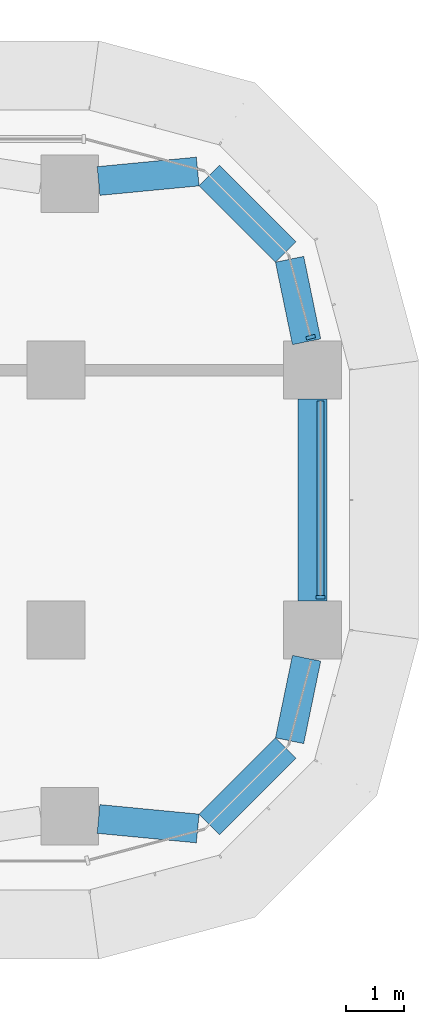
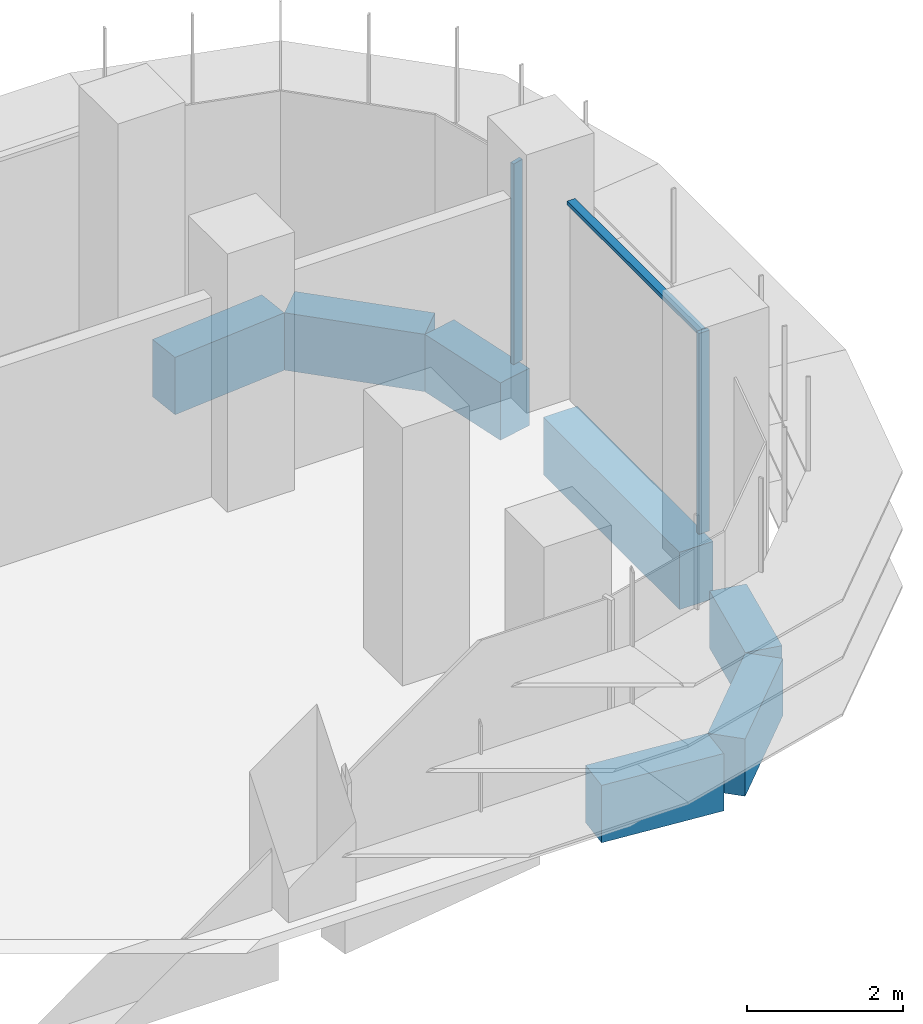
# One storey, part 11 of 23: 7 beams, 3 members, 2 elements without a shape of their own.
"""IFC4 building model written with IfcOpenShell, lengths in metres."""

from ifc_helpers import new_model, si_unit, direction, frame, origin, origin_2d, place, context, subcontext, project, spatial, polyline, rectangle, outline, extrude, source, transform, mapped, material, material_profile, profile_set, type_object, element, aggregate, save


model = new_model("IFC4")

# Units and contexts
model_context = context("Model", 3, precision=1e-05, world=origin(), true_north=direction((0.0, 1.0)))
body_context = subcontext(model_context, "Body", "Model", "MODEL_VIEW")
ifc_project = project(units=[si_unit("LENGTHUNIT", "METRE"), si_unit("AREAUNIT", "SQUARE_METRE"), si_unit("VOLUMEUNIT", "CUBIC_METRE"), si_unit("PLANEANGLEUNIT", "RADIAN"), si_unit("MASSUNIT", "GRAM", prefix="KILO")], contexts=[model_context])

# Site, building, storey
site_placement = place(None, origin())
site = spatial("IfcSite", under=ifc_project, at=site_placement, CompositionType="ELEMENT")
building_placement = place(site_placement, origin())
building = spatial("IfcBuilding", under=site, at=building_placement, Name="Zarbagh Exchange Tower", CompositionType="ELEMENT")
storey_placement = place(building_placement, frame((0.0, 0.0, 52.199951171875)))
storey = spatial("IfcBuildingStorey", under=building, at=storey_placement, Name="L11", CompositionType="ELEMENT", Elevation=52.199951171875)

# Beams
ifc_material_1 = material(Name="Concrete C60/75", Category="concrete")
ifc_material_profile = material_profile(ifc_material_1, rectangle(XDim=0.5, YDim=0.89990234375, at=origin_2d()), Name="RC spandrel beam 500 x 900 C60/75")
ifc_profile_set = profile_set([ifc_material_profile], Name="Concrete C60/75")
beam_type = type_object("IfcBeamType", Name="RC spandrel beam 500 x 900 C60/75", PredefinedType="SPANDREL", material=ifc_profile_set)
beam_1_placement = place(storey_placement, frame((29.40576171875, 5.522705078125, -0.599853515625), z_axis=(0.995431032456, 0.095483294999, 0.0), x_axis=(-0.095483294999, 0.995431032456, 0.0)))
element("IfcBeam", 1, at=beam_1_placement, inside=storey, type_object=beam_type, Name="RC spandrel beam", PredefinedType="SPANDREL", context=body_context, shape_type="SweptSolid", body=[
    extrude(rectangle(XDim=0.5, YDim=0.89990234375, at=origin_2d()), origin(), (0.0, 0.0, 1.0), 1.725830078125),
])
beam_2_placement = place(storey_placement, frame((31.324462890625, 5.615478515625, -0.599853515625), z_axis=(0.707172099812, -0.707041456527, 0.0), x_axis=(0.707041456527, 0.707172099812, 0.0)))
element("IfcBeam", 2, at=beam_2_placement, inside=storey, type_object=beam_type, Name="RC spandrel beam", PredefinedType="SPANDREL", context=body_context, shape_type="SweptSolid", body=[
    extrude(rectangle(XDim=0.5, YDim=0.89990234375, at=origin_2d()), origin(), (0.0, 0.0, 1.0), 1.86865234375),
])
beam_3_placement = place(storey_placement, frame((32.714111328125, 4.16796875, -0.599853515625), z_axis=(0.202068589164, -0.9793713725, 0.0), x_axis=(0.9793713725, 0.202068589164, 0.0)))
element("IfcBeam", 3, at=beam_3_placement, inside=storey, type_object=beam_type, Name="RC spandrel beam", PredefinedType="SPANDREL", context=body_context, shape_type="SweptSolid", body=[
    extrude(rectangle(XDim=0.5, YDim=0.89990234375, at=origin_2d()), origin(), (0.0, 0.0, 1.0), 1.458251953125),
])
beam_4_placement = place(storey_placement, frame((33.110107421875, 1.75, -0.599853515625), z_axis=(0.0, -1.0, 0.0), x_axis=(1.0, 0.0, 0.0)))
element("IfcBeam", 4, at=beam_4_placement, inside=storey, type_object=beam_type, Name="RC spandrel beam", PredefinedType="SPANDREL", context=body_context, shape_type="SweptSolid", body=[
    extrude(rectangle(XDim=0.5, YDim=0.89990234375, at=origin_2d()), origin(), (0.0, 0.0, 1.0), 3.5),
])
beam_5_placement = place(storey_placement, frame((33.0087890625, -2.73974609375, -0.599853515625), z_axis=(-0.202068589164, -0.9793713725, 0.0), x_axis=(0.9793713725, -0.202068589164, 0.0)))
element("IfcBeam", 5, at=beam_5_placement, inside=storey, type_object=beam_type, Name="RC spandrel beam", PredefinedType="SPANDREL", context=body_context, shape_type="SweptSolid", body=[
    extrude(rectangle(XDim=0.5, YDim=0.89990234375, at=origin_2d()), origin(), (0.0, 0.0, 1.0), 1.458251953125),
])
beam_6_placement = place(storey_placement, frame((32.64599609375, -4.294189453125, -0.599853515625), z_axis=(-0.707172099812, -0.707041456527, 0.0), x_axis=(0.707041456527, -0.707172099812, 0.0)))
element("IfcBeam", 6, at=beam_6_placement, inside=storey, type_object=beam_type, Name="RC spandrel beam", PredefinedType="SPANDREL", context=body_context, shape_type="SweptSolid", body=[
    extrude(rectangle(XDim=0.5, YDim=0.89990234375, at=origin_2d()), origin(), (0.0, 0.0, 1.0), 1.86865234375),
])
beam_7_placement = place(storey_placement, frame((31.123779296875, -5.6875, -0.599853515625), z_axis=(-0.995431032456, 0.095483294999, 0.0), x_axis=(-0.095483294999, -0.995431032456, 0.0)))
element("IfcBeam", 7, at=beam_7_placement, inside=storey, type_object=beam_type, Name="RC spandrel beam", PredefinedType="SPANDREL", context=body_context, shape_type="SweptSolid", body=[
    extrude(rectangle(XDim=0.5, YDim=0.89990234375, at=origin_2d()), origin(), (0.0, 0.0, 1.0), 1.725830078125),
])

# Curtain wall, member
ifc_material_2 = material(Name="Anodised aluminium frame and glazing", Category="aluminium")
curtain_wall_type = type_object("IfcCurtainWallType", Name="CWA Ribbon glazing, lower zones", PredefinedType="NOTDEFINED", material=ifc_material_2)
curtain_wall_1_placement = place(storey_placement, origin())
curtain_wall_1 = element("IfcCurtainWall", 8, at=curtain_wall_1_placement, inside=storey, type_object=curtain_wall_type, Name="CWA12 curtain wall", PredefinedType="NOTDEFINED")
ifc_material_3 = material(Name="Anodised aluminium frame", Category="aluminium")
member_type_1 = type_object("IfcMemberType", Name="MUA Mullion, anodised aluminium frame", PredefinedType="MULLION", material=ifc_material_3)
shared_shape_1 = source(origin(), body_context, "Body", "SweptSolid", [
    extrude(outline(polyline([(0.0, -0.080078125), (0.06005859375, -0.080078125), (0.06005859375, 0.080078125), (0.0, 0.080078125), (0.0, -0.080078125)])), origin(), (0.0, 0.0, 1.0), 3.14990234375),
])
placement = place(storey_placement, origin())
member_1 = element("IfcMember", 9, at=placement, type_object=member_type_1, Name="CWA12 mullion 1.1", PredefinedType="MULLION", context=body_context, shape_type="MappedRepresentation", body=[
    mapped(shared_shape_1, transform((33.25, -1.7099609375, 0.0), x_axis=(0.0, 1.0, 0.0), y_axis=(-1.0, 0.0, 0.0), z_axis=(0.0, 0.0, 1.0))),
])

curtain_wall_2_placement = place(storey_placement, origin())
curtain_wall_2 = element("IfcCurtainWall", 10, at=curtain_wall_2_placement, inside=storey, type_object=curtain_wall_type, Name="CWA13 curtain wall", PredefinedType="NOTDEFINED")
member_2 = element("IfcMember", 11, at=placement, type_object=member_type_1, Name="CWA13 mullion 1.1", PredefinedType="MULLION", context=body_context, shape_type="MappedRepresentation", body=[
    mapped(shared_shape_1, transform((33.087646484375, 2.7900390625, 0.0), x_axis=(-0.258824779902, 0.965924289636, 0.0), y_axis=(-0.965924289636, -0.258824779902, 0.0), z_axis=(0.0, 0.0, 1.0))),
])
aggregate(curtain_wall_2, [member_2])

# Member
member_type_2 = type_object("IfcMemberType", Name="TRA Transom, anodised aluminium frame", PredefinedType="USERDEFINED", material=ifc_material_3)
shared_shape_2 = source(origin(), body_context, "Body", "SweptSolid", [
    extrude(outline(polyline([(-0.06005859375, -0.06005859375), (0.0, -0.06005859375), (0.0, 0.06005859375), (-0.06005859375, 0.06005859375), (-0.06005859375, -0.06005859375)])), origin(), (0.0, 0.0, 1.0), 3.360107421875),
])
member_3 = element("IfcMember", 12, at=placement, type_object=member_type_2, Name="CWA12 transom 1.1", ObjectType="TRANSOM", PredefinedType="USERDEFINED", context=body_context, shape_type="MappedRepresentation", body=[
    mapped(shared_shape_2, transform((33.25, -1.64990234375, 3.150146484375), x_axis=(0.0, 0.0, 1.0), y_axis=(1.0, 0.0, 0.0), z_axis=(0.0, 1.0, 0.0))),
])

aggregate(curtain_wall_1, [member_1, member_3])

save(model, "model.ifc")
